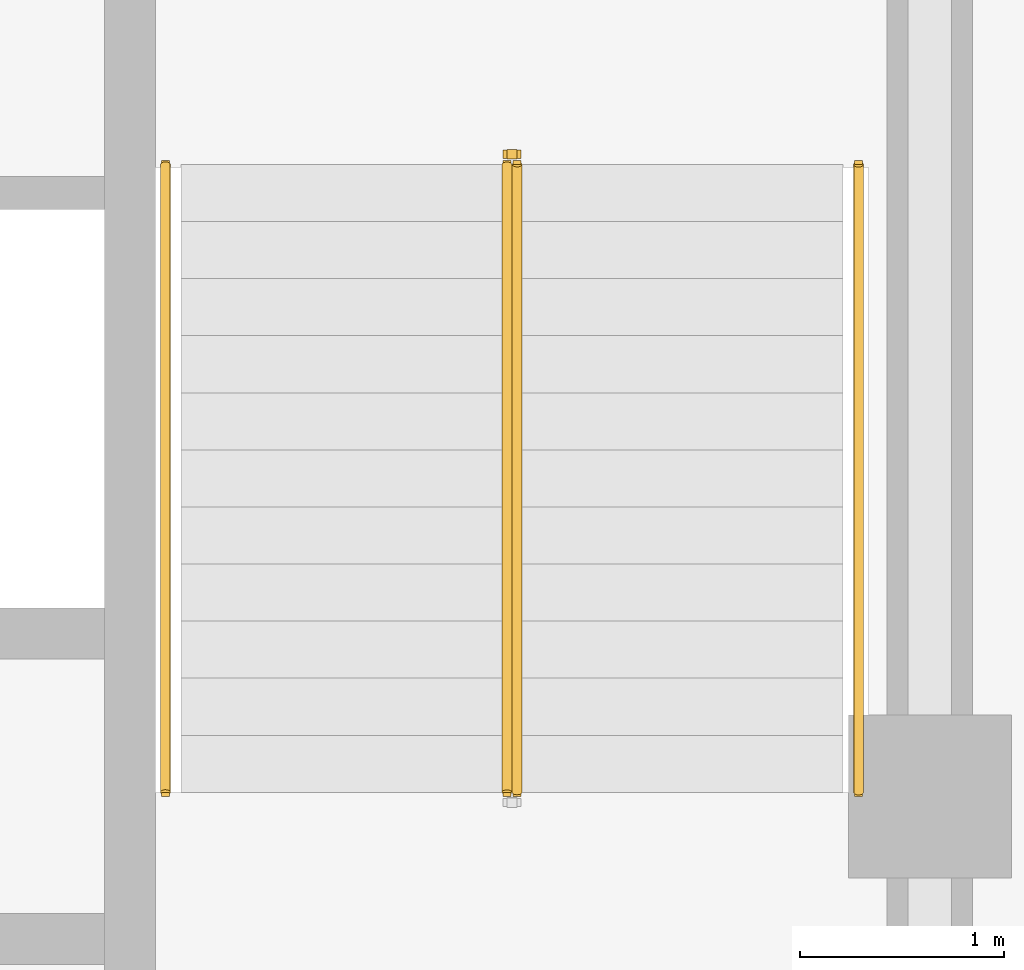
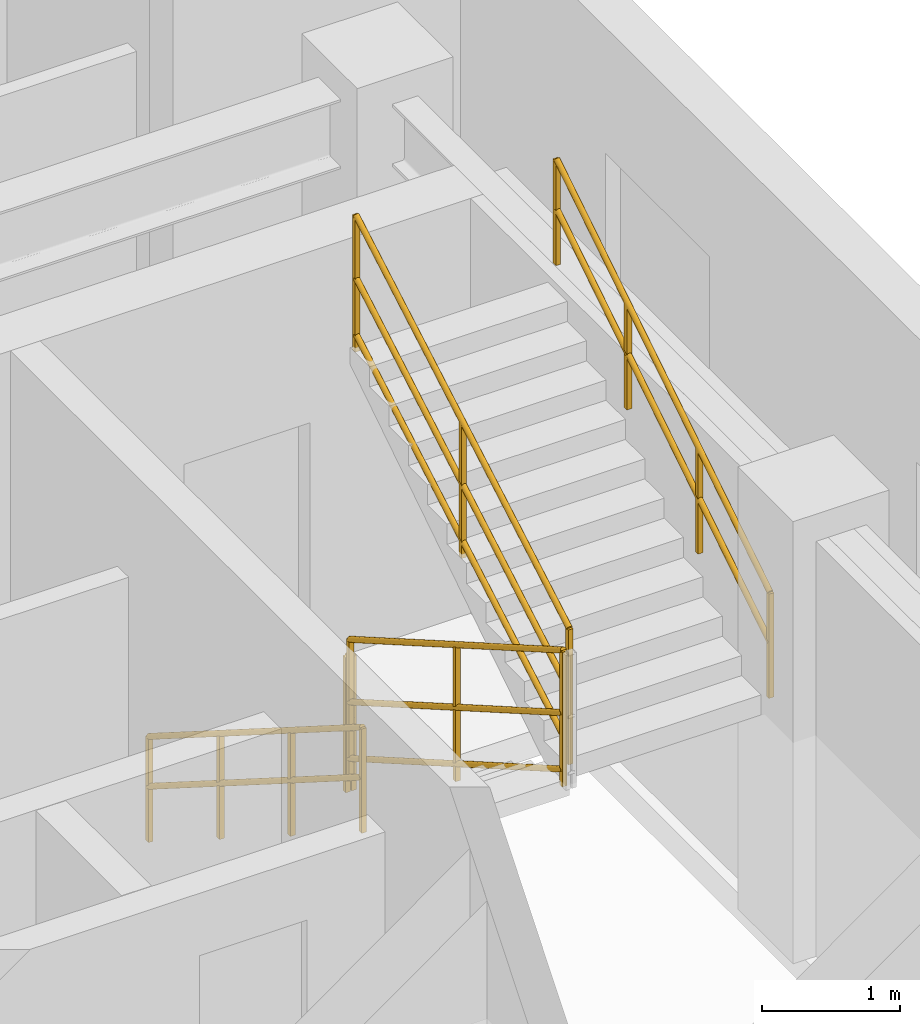
# One storey, part 9 of 10: 5 railings.
"""IFC4 building model written with IfcOpenShell, lengths in metres."""

from ifc_helpers import new_model, entity, si_unit, converted_unit, direction, frame, origin_with_axes, origin_2d_with_axis, place, context, subcontext, project, spatial, rectangle, circle, extrude, material, type_object, element, save


model = new_model("IFC4")

# Units and contexts
model_context = context("Model", 3, precision=1e-05, world=origin_with_axes(), true_north=direction((0.0, 1.0)))
body_context = subcontext(model_context, "Body", "Model", "MODEL_VIEW")
ifc_project = project(units=[si_unit("LENGTHUNIT", "METRE"), si_unit("AREAUNIT", "SQUARE_METRE"), si_unit("VOLUMEUNIT", "CUBIC_METRE"), converted_unit("PLANEANGLEUNIT", "DEGREE", entity("IfcPlaneAngleMeasure", 0.017453292519943295), si_unit("PLANEANGLEUNIT", "RADIAN"), dimensions=[0, 0, 0, 0, 0, 0, 0]), si_unit("MASSUNIT", "GRAM", prefix="KILO"), si_unit("THERMODYNAMICTEMPERATUREUNIT", "KELVIN")], contexts=[model_context])

# Site, building, storey
site_placement = place(None, origin_with_axes())
site = spatial("IfcSite", under=ifc_project, at=site_placement, CompositionType="ELEMENT")
building_placement = place(site_placement, origin_with_axes())
building = spatial("IfcBuilding", under=site, at=building_placement, Name="Varnlund Millrace Tower", CompositionType="ELEMENT")
storey_placement = place(building_placement, frame((0.0, 0.0, 276.3), z_axis=(0.0, 0.0, 1.0), x_axis=(1.0, 0.0, 0.0)))
storey = spatial("IfcBuildingStorey", under=building, at=storey_placement, Name="L68", CompositionType="ELEMENT", Elevation=276.3)

# Railings
ifc_material_1 = material(Name="Painted steel stair well balustrade guard", Category="steel")
railing_type_1 = type_object("IfcRailingType", Name="Type-StairGuard-1150", PredefinedType="GUARDRAIL", material=ifc_material_1)
railing_1_placement = place(storey_placement, frame((0.0, 0.0, -276.3), z_axis=(0.0, 0.0, 1.0), x_axis=(1.0, 0.0, 0.0)))
element("IfcRailing", 1, at=railing_1_placement, inside=storey, type_object=railing_type_1, Name="Type-StairGuard-1150", PredefinedType="GUARDRAIL", context=body_context, shape_type="SweptSolid", body=[
    extrude(circle(Radius=0.024, at=origin_2d_with_axis()), frame((45.975, 21.1, 277.627273), z_axis=(0.0, -0.866696, 0.498836), x_axis=(1.0, 0.0, 0.0)), (0.0, 0.0, 1.0), 3.553725),
    extrude(circle(Radius=0.024, at=origin_2d_with_axis()), frame((45.975, 21.1, 276.577273), z_axis=(0.0, -0.866696, 0.498836), x_axis=(1.0, 0.0, 0.0)), (0.0, 0.0, 1.0), 3.553725),
    extrude(circle(Radius=0.024, at=origin_2d_with_axis()), frame((45.975, 21.1, 277.075273), z_axis=(0.0, -0.866696, 0.498836), x_axis=(1.0, 0.0, 0.0)), (0.0, 0.0, 1.0), 3.553725),
    extrude(rectangle(XDim=0.04, YDim=0.04, at=origin_2d_with_axis()), frame((45.975, 21.1, 276.437273), z_axis=(0.0, 0.0, 1.0), x_axis=(1.0, 0.0, 0.0)), (0.0, 0.0, 1.0), 1.19),
    extrude(rectangle(XDim=0.04, YDim=0.04, at=origin_2d_with_axis()), frame((45.975, 19.56, 277.323636), z_axis=(0.0, 0.0, 1.0), x_axis=(1.0, 0.0, 0.0)), (0.0, 0.0, 1.0), 1.19),
    extrude(rectangle(XDim=0.04, YDim=0.04, at=origin_2d_with_axis()), frame((45.975, 18.02, 278.21), z_axis=(0.0, 0.0, 1.0), x_axis=(1.0, 0.0, 0.0)), (0.0, 0.0, 1.0), 1.19),
])
railing_2_placement = place(storey_placement, frame((0.0, 0.0, -276.3), z_axis=(0.0, 0.0, 1.0), x_axis=(1.0, 0.0, 0.0)))
element("IfcRailing", 2, at=railing_2_placement, inside=storey, type_object=railing_type_1, Name="Type-StairGuard-1150", PredefinedType="GUARDRAIL", context=body_context, shape_type="SweptSolid", body=[
    extrude(circle(Radius=0.024, at=origin_2d_with_axis()), frame((46.025, 18.02, 279.577273), z_axis=(0.0, 0.866696, 0.498836), x_axis=(-1.0, 0.0, 0.0)), (0.0, 0.0, 1.0), 3.553725),
    extrude(circle(Radius=0.024, at=origin_2d_with_axis()), frame((46.025, 18.02, 278.527273), z_axis=(0.0, 0.866696, 0.498836), x_axis=(-1.0, 0.0, 0.0)), (0.0, 0.0, 1.0), 3.553725),
    extrude(circle(Radius=0.024, at=origin_2d_with_axis()), frame((46.025, 18.02, 279.025273), z_axis=(0.0, 0.866696, 0.498836), x_axis=(-1.0, 0.0, 0.0)), (0.0, 0.0, 1.0), 3.553725),
    extrude(rectangle(XDim=0.04, YDim=0.04, at=origin_2d_with_axis()), frame((46.025, 18.02, 278.387273), z_axis=(0.0, 0.0, 1.0), x_axis=(1.0, 0.0, 0.0)), (0.0, 0.0, 1.0), 1.19),
    extrude(rectangle(XDim=0.04, YDim=0.04, at=origin_2d_with_axis()), frame((46.025, 19.56, 279.273636), z_axis=(0.0, 0.0, 1.0), x_axis=(1.0, 0.0, 0.0)), (0.0, 0.0, 1.0), 1.19),
    extrude(rectangle(XDim=0.04, YDim=0.04, at=origin_2d_with_axis()), frame((46.025, 21.1, 280.16), z_axis=(0.0, 0.0, 1.0), x_axis=(1.0, 0.0, 0.0)), (0.0, 0.0, 1.0), 1.19),
])
railing_3_placement = place(storey_placement, frame((0.0, 0.0, -276.3), z_axis=(0.0, 0.0, 1.0), x_axis=(1.0, 0.0, 0.0)))
element("IfcRailing", 3, at=railing_3_placement, inside=storey, type_object=railing_type_1, Name="Type-StairGuard-1150", PredefinedType="GUARDRAIL", context=body_context, shape_type="SweptSolid", body=[
    extrude(circle(Radius=0.024, at=origin_2d_with_axis()), frame((46.025, 21.15, 277.45), z_axis=(-1.0, 0.0, 0.0), x_axis=(0.0, -1.0, 0.0)), (0.0, 0.0, 1.0), 0.05),
    extrude(circle(Radius=0.024, at=origin_2d_with_axis()), frame((46.025, 21.15, 276.4), z_axis=(-1.0, 0.0, 0.0), x_axis=(0.0, -1.0, 0.0)), (0.0, 0.0, 1.0), 0.05),
    extrude(circle(Radius=0.024, at=origin_2d_with_axis()), frame((46.025, 21.15, 276.898), z_axis=(-1.0, 0.0, 0.0), x_axis=(0.0, -1.0, 0.0)), (0.0, 0.0, 1.0), 0.05),
    extrude(rectangle(XDim=0.04, YDim=0.04, at=origin_2d_with_axis()), frame((46.025, 21.15, 276.26), z_axis=(0.0, 0.0, 1.0), x_axis=(1.0, 0.0, 0.0)), (0.0, 0.0, 1.0), 1.19),
    extrude(rectangle(XDim=0.04, YDim=0.04, at=origin_2d_with_axis()), frame((45.975, 21.15, 276.26), z_axis=(0.0, 0.0, 1.0), x_axis=(1.0, 0.0, 0.0)), (0.0, 0.0, 1.0), 1.19),
])
ifc_material_2 = material(Name="Brushed architectural bronze stair handrail", Category="aluminium")
railing_type_2 = type_object("IfcRailingType", Name="Type-StairHandrail-900", PredefinedType="HANDRAIL", material=ifc_material_2)
railing_4_placement = place(storey_placement, frame((0.0, 0.0, -276.3), z_axis=(0.0, 0.0, 1.0), x_axis=(1.0, 0.0, 0.0)))
element("IfcRailing", 4, at=railing_4_placement, inside=storey, type_object=railing_type_2, Name="Type-StairHandrail-900", PredefinedType="HANDRAIL", context=body_context, shape_type="SweptSolid", body=[
    extrude(circle(Radius=0.024, at=origin_2d_with_axis()), frame((44.3, 21.1, 277.356995), z_axis=(0.0, -0.844902, 0.534922), x_axis=(1.0, 0.0, 0.0)), (0.0, 0.0, 1.0), 3.645394),
    extrude(circle(Radius=0.024, at=origin_2d_with_axis()), frame((44.3, 21.1, 276.917134), z_axis=(0.0, -0.844902, 0.534922), x_axis=(1.0, 0.0, 0.0)), (0.0, 0.0, 1.0), 3.645394),
    extrude(rectangle(XDim=0.04, YDim=0.04, at=origin_2d_with_axis()), frame((44.3, 21.1, 276.437273), z_axis=(0.0, 0.0, 1.0), x_axis=(1.0, 0.0, 0.0)), (0.0, 0.0, 1.0), 0.919722),
    extrude(rectangle(XDim=0.04, YDim=0.04, at=origin_2d_with_axis()), frame((44.3, 20.073333, 277.087273), z_axis=(0.0, 0.0, 1.0), x_axis=(1.0, 0.0, 0.0)), (0.0, 0.0, 1.0), 0.919722),
    extrude(rectangle(XDim=0.04, YDim=0.04, at=origin_2d_with_axis()), frame((44.3, 19.046667, 277.737273), z_axis=(0.0, 0.0, 1.0), x_axis=(1.0, 0.0, 0.0)), (0.0, 0.0, 1.0), 0.919722),
    extrude(rectangle(XDim=0.04, YDim=0.04, at=origin_2d_with_axis()), frame((44.3, 18.02, 278.387273), z_axis=(0.0, 0.0, 1.0), x_axis=(1.0, 0.0, 0.0)), (0.0, 0.0, 1.0), 0.919722),
])
railing_5_placement = place(storey_placement, frame((0.0, 0.0, -276.3), z_axis=(0.0, 0.0, 1.0), x_axis=(1.0, 0.0, 0.0)))
element("IfcRailing", 5, at=railing_5_placement, inside=storey, type_object=railing_type_2, Name="Type-StairHandrail-900", PredefinedType="HANDRAIL", context=body_context, shape_type="SweptSolid", body=[
    extrude(circle(Radius=0.024, at=origin_2d_with_axis()), frame((47.7, 18.02, 279.306995), z_axis=(0.0, 0.844902, 0.534922), x_axis=(-1.0, 0.0, 0.0)), (0.0, 0.0, 1.0), 3.645394),
    extrude(circle(Radius=0.024, at=origin_2d_with_axis()), frame((47.7, 18.02, 278.867134), z_axis=(0.0, 0.844902, 0.534922), x_axis=(-1.0, 0.0, 0.0)), (0.0, 0.0, 1.0), 3.645394),
    extrude(rectangle(XDim=0.04, YDim=0.04, at=origin_2d_with_axis()), frame((47.7, 18.02, 278.387273), z_axis=(0.0, 0.0, 1.0), x_axis=(1.0, 0.0, 0.0)), (0.0, 0.0, 1.0), 0.919722),
    extrude(rectangle(XDim=0.04, YDim=0.04, at=origin_2d_with_axis()), frame((47.7, 19.046667, 279.037273), z_axis=(0.0, 0.0, 1.0), x_axis=(1.0, 0.0, 0.0)), (0.0, 0.0, 1.0), 0.919722),
    extrude(rectangle(XDim=0.04, YDim=0.04, at=origin_2d_with_axis()), frame((47.7, 20.073333, 279.687273), z_axis=(0.0, 0.0, 1.0), x_axis=(1.0, 0.0, 0.0)), (0.0, 0.0, 1.0), 0.919722),
    extrude(rectangle(XDim=0.04, YDim=0.04, at=origin_2d_with_axis()), frame((47.7, 21.1, 280.337273), z_axis=(0.0, 0.0, 1.0), x_axis=(1.0, 0.0, 0.0)), (0.0, 0.0, 1.0), 0.919722),
])

save(model, "model.ifc")
